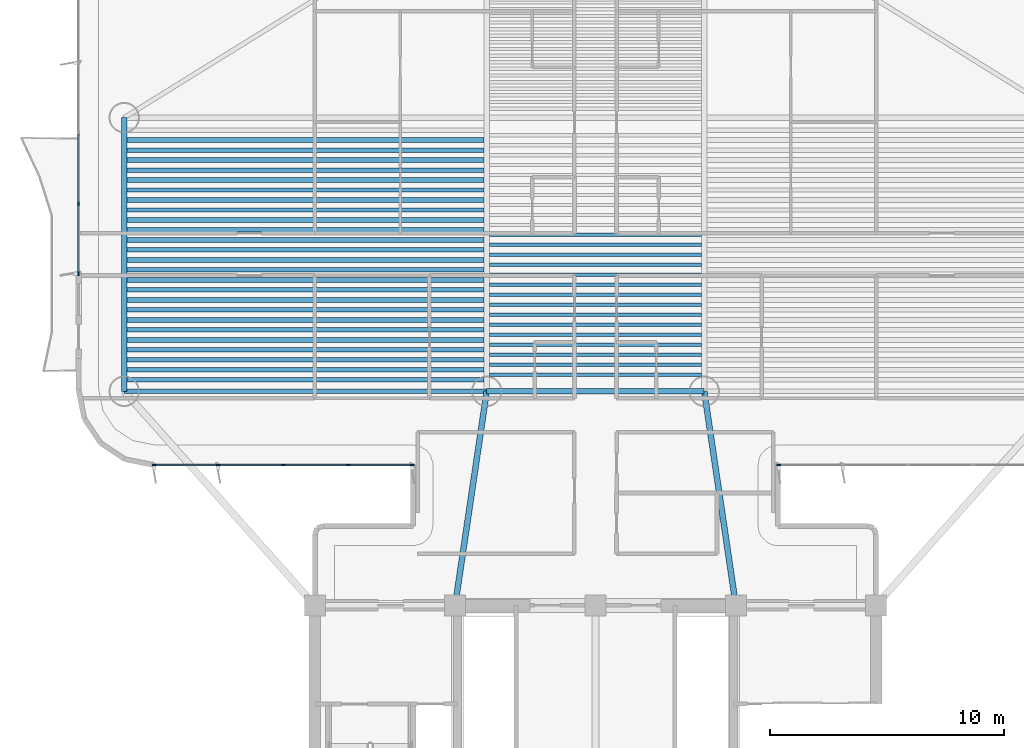
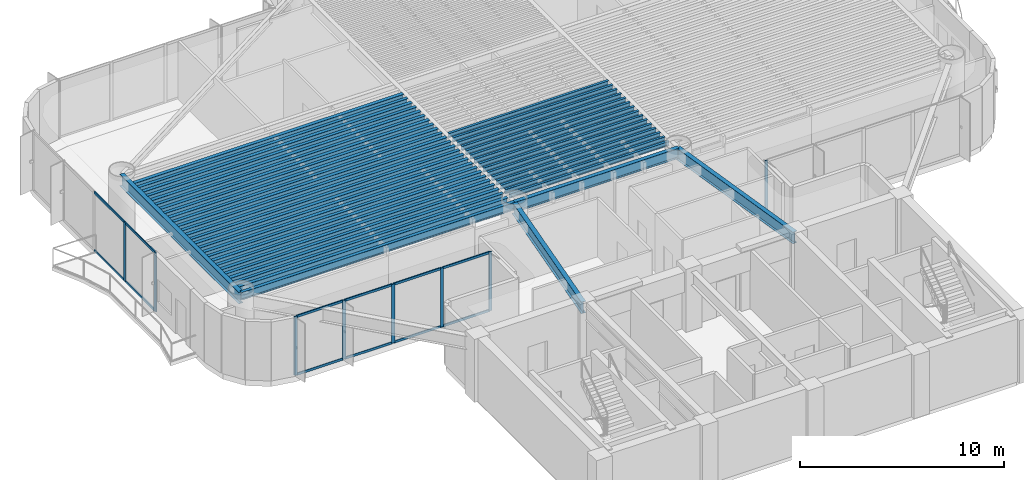
# One storey, part 2 of 17: 45 beams, 20 members, 3 elements without a shape of their own.
"""IFC4 building model written with IfcOpenShell, lengths in metres."""

from ifc_helpers import new_model, si_unit, direction, frame, origin, origin_2d, place, context, subcontext, project, spatial, rectangle, i_section, extrude, source, transform, mapped, material, layer, layer_set, material_profile, profile_set, type_object, element, aggregate, save


model = new_model("IFC4")

# Units and contexts
model_context = context("Model", 3, precision=1e-05, world=origin(), true_north=direction((0.0, 1.0)))
body_context = subcontext(model_context, "Body", "Model", "MODEL_VIEW")
ifc_project = project(units=[si_unit("LENGTHUNIT", "METRE"), si_unit("AREAUNIT", "SQUARE_METRE"), si_unit("VOLUMEUNIT", "CUBIC_METRE"), si_unit("PLANEANGLEUNIT", "RADIAN"), si_unit("MASSUNIT", "GRAM", prefix="KILO")], contexts=[model_context])

# Site, building, storey
site_placement = place(None, origin())
site = spatial("IfcSite", under=ifc_project, at=site_placement, CompositionType="ELEMENT")
building_placement = place(site_placement, origin())
building = spatial("IfcBuilding", under=site, at=building_placement, Name="Brelvock Crest Care Tower", CompositionType="ELEMENT")
storey_placement = place(building_placement, frame((0.0, 0.0, 89.820068359375)))
storey = spatial("IfcBuildingStorey", under=building, at=storey_placement, Name="L22", CompositionType="ELEMENT", Elevation=89.820068359375)

# Beams
ifc_material_1 = material(Name="Steel Grade 350", Category="steel")
ifc_material_profile_1 = material_profile(ifc_material_1, i_section(OverallWidth=0.22900390625, OverallDepth=0.612060546875, WebThickness=0.011962890625, FlangeThickness=0.01953125, FilletRadius=0.013916015625, at=origin_2d()), Name="610UB125")
ifc_profile_set_1 = profile_set([ifc_material_profile_1], Name="Steel Grade 350")
beam_type_1 = type_object("IfcBeamType", Name="BM-G1", PredefinedType="BEAM", material=ifc_profile_set_1)
shared_shape_1 = source(origin(), body_context, "Body", "SweptSolid", [
    extrude(i_section(OverallWidth=0.22900390625, OverallDepth=0.612060546875, WebThickness=0.011962890625, FlangeThickness=0.01953125, FilletRadius=0.013916015625, at=origin_2d()), origin(), (0.0, 0.0, 1.0), 9.2998046875),
])
beam_1_placement = place(storey_placement, frame((31.35009765625, 27.14990234375, 3.223876953125), z_axis=(1.0, 0.0, 0.0), x_axis=(0.0, 1.0, 0.0)))
element("IfcBeam", 1, at=beam_1_placement, inside=storey, type_object=beam_type_1, Name="BM-TWR-L22-05", PredefinedType="BEAM", context=body_context, shape_type="MappedRepresentation", body=[
    mapped(shared_shape_1, transform((0.0, 0.0, 0.0), x_axis=(1.0, 0.0, 0.0), y_axis=(0.0, 1.0, 0.0), z_axis=(0.0, 0.0, 1.0), scale=1.0)),
])
ifc_material_profile_2 = material_profile(ifc_material_1, i_section(OverallWidth=0.14599609375, OverallDepth=0.256103515625, WebThickness=0.00634765625, FlangeThickness=0.010986328125, FilletRadius=0.0087890625, at=origin_2d()), Name="250UB37.3")
ifc_profile_set_2 = profile_set([ifc_material_profile_2], Name="Steel Grade 350")
beam_type_2 = type_object("IfcBeamType", Name="BM-J3", PredefinedType="JOIST", material=ifc_profile_set_2)
shared_shape_2 = source(origin(), body_context, "Body", "SweptSolid", [
    extrude(i_section(OverallWidth=0.14599609375, OverallDepth=0.256103515625, WebThickness=0.00634765625, FlangeThickness=0.010986328125, FilletRadius=0.0087890625, at=origin_2d()), origin(), (0.0, 0.0, 1.0), 9.06982421875),
])
for number, where, z_axis, x_axis, name in (
    (2, (31.465087890625, 27.85498046875, 3.40185546875), (1.0, 0.0, 0.0), (0.0, 1.0, 0.0), "BM-JH-L22-1"),
    (3, (31.465087890625, 28.281982421875, 3.40185546875), (1.0, 0.0, 0.0), (0.0, 1.0, 0.0), "BM-JH-L22-2"),
    (4, (31.465087890625, 28.708984375, 3.40185546875), (1.0, 0.0, 0.0), (0.0, 1.0, 0.0), "BM-JH-L22-3"),
    (5, (31.465087890625, 29.135986328125, 3.40185546875), (1.0, 0.0, 0.0), (0.0, 1.0, 0.0), "BM-JH-L22-4"),
    (6, (31.465087890625, 29.56298828125, 3.40185546875), (1.0, 0.0, 0.0), (0.0, 1.0, 0.0), "BM-JH-L22-5"),
    (7, (31.465087890625, 29.990234375, 3.40185546875), (1.0, 0.0, 0.0), (0.0, 1.0, 0.0), "BM-JH-L22-6"),
    (8, (31.465087890625, 30.417236328125, 3.40185546875), (1.0, 0.0, 0.0), (0.0, 1.0, 0.0), "BM-JH-L22-7"),
    (9, (31.465087890625, 30.84423828125, 3.40185546875), (1.0, 0.0, 0.0), (0.0, 1.0, 0.0), "BM-JH-L22-8"),
    (10, (31.465087890625, 31.271240234375, 3.40185546875), (1.0, 0.0, 0.0), (0.0, 1.0, 0.0), "BM-JH-L22-9"),
    (11, (31.465087890625, 31.698486328125, 3.40185546875), (1.0, 0.0, 0.0), (0.0, 1.0, 0.0), "BM-JH-L22-10"),
    (12, (31.465087890625, 32.12548828125, 3.40185546875), (1.0, 0.0, 0.0), (0.0, 1.0, 0.0), "BM-JH-L22-11"),
    (13, (31.465087890625, 32.552490234375, 3.40185546875), (1.0, 0.0, 0.0), (0.0, 1.0, 0.0), "BM-JH-L22-12"),
    (14, (31.465087890625, 32.9794921875, 3.40185546875), (1.0, 0.0, 0.0), (0.0, 1.0, 0.0), "BM-JH-L22-13"),
    (15, (31.465087890625, 33.406494140625, 3.40185546875), (1.0, 0.0, 0.0), (0.0, 1.0, 0.0), "BM-JH-L22-14"),
    (16, (31.465087890625, 33.83349609375, 3.40185546875), (1.0, 0.0, 0.0), (0.0, 1.0, 0.0), "BM-JH-L22-15"),
):
    element("IfcBeam", number, at=place(storey_placement, frame(where, z_axis=z_axis, x_axis=x_axis)), inside=storey, type_object=beam_type_2, Name=name, PredefinedType="JOIST", context=body_context, shape_type="MappedRepresentation", body=[
        mapped(shared_shape_2, transform((0.0, 0.0, 0.0), x_axis=(1.0, 0.0, 0.0), y_axis=(0.0, 1.0, 0.0), z_axis=(0.0, 0.0, 1.0), scale=1.0)),
    ])
ifc_material_profile_3 = material_profile(ifc_material_1, i_section(OverallWidth=0.208984375, OverallDepth=0.532958984375, WebThickness=0.01025390625, FlangeThickness=0.015625, FilletRadius=0.013916015625, at=origin_2d()), Name="530UB92.4")
ifc_profile_set_3 = profile_set([ifc_material_profile_3], Name="Steel Grade 350")
beam_type_3 = type_object("IfcBeamType", Name="BM-G2", PredefinedType="BEAM", material=ifc_profile_set_3)
shared_shape_3 = source(origin(), body_context, "Body", "SweptSolid", [
    extrude(i_section(OverallWidth=0.208984375, OverallDepth=0.532958984375, WebThickness=0.01025390625, FlangeThickness=0.015625, FilletRadius=0.013916015625, at=origin_2d()), origin(), (0.0, 0.0, 1.0), 15.27001953125),
])
for number, where, z_axis, x_axis, name in (
    (17, (15.965087890625, 27.641357421875, 3.263427734375), (1.0, 0.0, 0.0), (0.0, 1.0, 0.0), "BM-JW-L22-1"),
    (18, (15.965087890625, 28.49560546875, 3.263427734375), (1.0, 0.0, 0.0), (0.0, 1.0, 0.0), "BM-JW-L22-3"),
    (19, (15.965087890625, 29.349609375, 3.263427734375), (1.0, 0.0, 0.0), (0.0, 1.0, 0.0), "BM-JW-L22-5"),
    (20, (15.965087890625, 30.20361328125, 3.263427734375), (1.0, 0.0, 0.0), (0.0, 1.0, 0.0), "BM-JW-L22-7"),
    (21, (15.965087890625, 31.057861328125, 3.263427734375), (1.0, 0.0, 0.0), (0.0, 1.0, 0.0), "BM-JW-L22-9"),
    (22, (15.965087890625, 31.911865234375, 3.263427734375), (1.0, 0.0, 0.0), (0.0, 1.0, 0.0), "BM-JW-L22-11"),
    (23, (15.965087890625, 32.76611328125, 3.263427734375), (1.0, 0.0, 0.0), (0.0, 1.0, 0.0), "BM-JW-L22-13"),
    (24, (15.965087890625, 33.6201171875, 3.263427734375), (1.0, 0.0, 0.0), (0.0, 1.0, 0.0), "BM-JW-L22-15"),
    (25, (15.965087890625, 34.47412109375, 3.263427734375), (1.0, 0.0, 0.0), (0.0, 1.0, 0.0), "BM-JW-L22-17"),
    (26, (15.965087890625, 35.328369140625, 3.263427734375), (1.0, 0.0, 0.0), (0.0, 1.0, 0.0), "BM-JW-L22-19"),
    (27, (15.965087890625, 36.182373046875, 3.263427734375), (1.0, 0.0, 0.0), (0.0, 1.0, 0.0), "BM-JW-L22-21"),
    (28, (15.965087890625, 37.03662109375, 3.263427734375), (1.0, 0.0, 0.0), (0.0, 1.0, 0.0), "BM-JW-L22-23"),
    (29, (15.965087890625, 37.890625, 3.263427734375), (1.0, 0.0, 0.0), (0.0, 1.0, 0.0), "BM-JW-L22-25"),
):
    element("IfcBeam", number, at=place(storey_placement, frame(where, z_axis=z_axis, x_axis=x_axis)), inside=storey, type_object=beam_type_3, Name=name, PredefinedType="BEAM", context=body_context, shape_type="MappedRepresentation", body=[
        mapped(shared_shape_3, transform((0.0, 0.0, 0.0), x_axis=(1.0, 0.0, 0.0), y_axis=(0.0, 1.0, 0.0), z_axis=(0.0, 0.0, 1.0), scale=1.0)),
    ])
ifc_material_profile_4 = material_profile(ifc_material_1, i_section(OverallWidth=0.19091796875, OverallDepth=0.4599609375, WebThickness=0.010009765625, FlangeThickness=0.01611328125, FilletRadius=0.011474609375, at=origin_2d()), Name="460UB82.1")
ifc_profile_set_4 = profile_set([ifc_material_profile_4], Name="Steel Grade 350")
beam_type_4 = type_object("IfcBeamType", Name="BM-G3", PredefinedType="BEAM", material=ifc_profile_set_4)
shared_shape_4 = source(origin(), body_context, "Body", "SweptSolid", [
    extrude(i_section(OverallWidth=0.19091796875, OverallDepth=0.4599609375, WebThickness=0.010009765625, FlangeThickness=0.01611328125, FilletRadius=0.011474609375, at=origin_2d()), origin(), (0.0, 0.0, 1.0), 15.27001953125),
])
for number, where, z_axis, x_axis, name in (
    (30, (15.965087890625, 28.068359375, 3.300048828125), (1.0, 0.0, 0.0), (0.0, 1.0, 0.0), "BM-JW-L22-2"),
    (31, (15.965087890625, 28.922607421875, 3.300048828125), (1.0, 0.0, 0.0), (0.0, 1.0, 0.0), "BM-JW-L22-4"),
    (32, (15.965087890625, 29.776611328125, 3.300048828125), (1.0, 0.0, 0.0), (0.0, 1.0, 0.0), "BM-JW-L22-6"),
    (33, (15.965087890625, 30.630615234375, 3.300048828125), (1.0, 0.0, 0.0), (0.0, 1.0, 0.0), "BM-JW-L22-8"),
    (34, (15.965087890625, 31.48486328125, 3.300048828125), (1.0, 0.0, 0.0), (0.0, 1.0, 0.0), "BM-JW-L22-10"),
    (35, (15.965087890625, 32.3388671875, 3.300048828125), (1.0, 0.0, 0.0), (0.0, 1.0, 0.0), "BM-JW-L22-12"),
    (36, (15.965087890625, 33.193115234375, 3.300048828125), (1.0, 0.0, 0.0), (0.0, 1.0, 0.0), "BM-JW-L22-14"),
    (37, (15.965087890625, 34.047119140625, 3.300048828125), (1.0, 0.0, 0.0), (0.0, 1.0, 0.0), "BM-JW-L22-16"),
    (38, (15.965087890625, 34.901123046875, 3.300048828125), (1.0, 0.0, 0.0), (0.0, 1.0, 0.0), "BM-JW-L22-18"),
    (39, (15.965087890625, 35.75537109375, 3.300048828125), (1.0, 0.0, 0.0), (0.0, 1.0, 0.0), "BM-JW-L22-20"),
    (40, (15.965087890625, 36.609619140625, 3.300048828125), (1.0, 0.0, 0.0), (0.0, 1.0, 0.0), "BM-JW-L22-22"),
    (41, (15.965087890625, 37.46337890625, 3.300048828125), (1.0, 0.0, 0.0), (0.0, 1.0, 0.0), "BM-JW-L22-24"),
):
    element("IfcBeam", number, at=place(storey_placement, frame(where, z_axis=z_axis, x_axis=x_axis)), inside=storey, type_object=beam_type_4, Name=name, PredefinedType="BEAM", context=body_context, shape_type="MappedRepresentation", body=[
        mapped(shared_shape_4, transform((0.0, 0.0, 0.0), x_axis=(1.0, 0.0, 0.0), y_axis=(0.0, 1.0, 0.0), z_axis=(0.0, 0.0, 1.0), scale=1.0)),
    ])
ifc_material_profile_5 = material_profile(ifc_material_1, i_section(OverallWidth=0.25, OverallDepth=0.699951171875, WebThickness=0.011962890625, FlangeThickness=0.02001953125, at=origin_2d()), Name="700WB150")
ifc_profile_set_5 = profile_set([ifc_material_profile_5], Name="Steel Grade 350")
beam_type_5 = type_object("IfcBeamType", Name="BM-G4", PredefinedType="BEAM", material=ifc_profile_set_5)
shared_shape_5 = source(origin(), body_context, "Body", "SweptSolid", [
    extrude(i_section(OverallWidth=0.25, OverallDepth=0.699951171875, WebThickness=0.011962890625, FlangeThickness=0.02001953125, at=origin_2d()), origin(), (0.0, 0.0, 1.0), 11.7001953125),
])
beam_2_placement = place(storey_placement, frame((15.85009765625, 27.14990234375, 3.179931640625), z_axis=(0.0, 1.0, 0.0), x_axis=(-1.0, 0.0, 0.0)))
element("IfcBeam", 42, at=beam_2_placement, inside=storey, type_object=beam_type_5, Name="BM-TWR-L22-01", PredefinedType="BEAM", context=body_context, shape_type="MappedRepresentation", body=[
    mapped(shared_shape_5, transform((0.0, 0.0, 0.0), x_axis=(1.0, 0.0, 0.0), y_axis=(0.0, 1.0, 0.0), z_axis=(0.0, 0.0, 1.0), scale=1.0)),
])
ifc_material_profile_6 = material_profile(ifc_material_1, i_section(OverallWidth=0.19091796875, OverallDepth=0.4599609375, WebThickness=0.010009765625, FlangeThickness=0.01611328125, FilletRadius=0.011474609375, at=origin_2d()), Name="460UB82.1")
ifc_profile_set_6 = profile_set([ifc_material_profile_6], Name="Steel Grade 350")
beam_type_6 = type_object("IfcBeamType", Name="BM-SP2", PredefinedType="SPANDREL", material=ifc_profile_set_6)
shared_shape_6 = source(origin(), body_context, "Body", "SweptSolid", [
    extrude(i_section(OverallWidth=0.19091796875, OverallDepth=0.4599609375, WebThickness=0.010009765625, FlangeThickness=0.01611328125, FilletRadius=0.011474609375, at=origin_2d()), origin(), (0.0, 0.0, 1.0), 15.5),
])
beam_3_placement = place(storey_placement, frame((15.85009765625, 27.14990234375, 3.300048828125), z_axis=(1.0, 0.0, 0.0), x_axis=(0.0, 1.0, 0.0)))
element("IfcBeam", 43, at=beam_3_placement, inside=storey, type_object=beam_type_6, Name="BM-TWR-L22-03", PredefinedType="SPANDREL", context=body_context, shape_type="MappedRepresentation", body=[
    mapped(shared_shape_6, transform((0.0, 0.0, 0.0), x_axis=(1.0, 0.0, 0.0), y_axis=(0.0, 1.0, 0.0), z_axis=(0.0, 0.0, 1.0), scale=1.0)),
])
shared_shape_7 = source(origin(), body_context, "Body", "SweptSolid", [
    extrude(i_section(OverallWidth=0.25, OverallDepth=0.699951171875, WebThickness=0.011962890625, FlangeThickness=0.02001953125, at=origin_2d()), origin(), (0.0, 0.0, 1.0), 9.2490234375),
])
for number, where, z_axis, x_axis, name in (
    (44, (30.0, 18.0, 3.179931640625), (0.145972731602, 0.989288613918, 0.0), (-0.989288613918, 0.145972731602, 0.0), "BM-THRW-L22"),
    (45, (42.0, 18.0, 3.179931640625), (-0.145972731602, 0.989288613918, 0.0), (-0.989288613918, -0.145972731602, 0.0), "BM-THRE-L22"),
):
    element("IfcBeam", number, at=place(storey_placement, frame(where, z_axis=z_axis, x_axis=x_axis)), inside=storey, type_object=beam_type_5, Name=name, PredefinedType="BEAM", context=body_context, shape_type="MappedRepresentation", body=[
        mapped(shared_shape_7, transform((0.0, 0.0, 0.0), x_axis=(1.0, 0.0, 0.0), y_axis=(0.0, 1.0, 0.0), z_axis=(0.0, 0.0, 1.0), scale=1.0)),
    ])

# Curtain wall, members
ifc_material_2 = material(Name="Dark Glass Double Glazed Low-E", Category="glass")
ifc_layer = layer(ifc_material_2, 0.2099609375, Name="CWS-3")
ifc_layer_set = layer_set([ifc_layer], Name="Dark Glass Double Glazed Low-E")
curtain_wall_type = type_object("IfcCurtainWallType", Name="CWS-3", PredefinedType="NOTDEFINED", material=ifc_layer_set)
curtain_wall_1_placement = place(storey_placement, origin())
curtain_wall_1 = element("IfcCurtainWall", 46, at=curtain_wall_1_placement, inside=storey, type_object=curtain_wall_type, Name="L22 Curtain Wall E12", PredefinedType="NOTDEFINED")
ifc_material_3 = material(Name="Aluminium 6063-T6", Category="aluminium")
ifc_material_profile_7 = material_profile(ifc_material_3, rectangle(XDim=0.06005859375, YDim=0.179931640625, at=origin_2d()), Name="ALU60x180")
ifc_profile_set_7 = profile_set([ifc_material_profile_7], Name="Aluminium 6063-T6")
member_type_1 = type_object("IfcMemberType", Name="CWM-2", PredefinedType="MULLION", material=ifc_profile_set_7)
shared_shape_8 = source(origin(), body_context, "Body", "SweptSolid", [
    extrude(rectangle(XDim=0.06005859375, YDim=0.179931640625, at=origin_2d()), origin(), (0.0, 0.0, 1.0), 3.530029296875),
])
member_1_placement = place(storey_placement, frame((28.169921875, 24.0, 0.0), z_axis=(0.0, 0.0, 1.0), x_axis=(0.0, -1.0, 0.0)))
member_1 = element("IfcMember", 47, at=member_1_placement, type_object=member_type_1, Name="CW-3 mullion 1", PredefinedType="MULLION", context=body_context, shape_type="MappedRepresentation", body=[
    mapped(shared_shape_8, transform((0.0, 0.0, 0.0), x_axis=(1.0, 0.0, 0.0), y_axis=(0.0, 1.0, 0.0), z_axis=(0.0, 0.0, 1.0), scale=1.0)),
])
member_2_placement = place(storey_placement, frame((25.425048828125, 24.0, 0.0), z_axis=(0.0, 0.0, 1.0), x_axis=(0.0, -1.0, 0.0)))
member_2 = element("IfcMember", 48, at=member_2_placement, type_object=member_type_1, Name="CW-3 mullion 2", PredefinedType="MULLION", context=body_context, shape_type="MappedRepresentation", body=[
    mapped(shared_shape_8, transform((0.0, 0.0, 0.0), x_axis=(1.0, 0.0, 0.0), y_axis=(0.0, 1.0, 0.0), z_axis=(0.0, 0.0, 1.0), scale=1.0)),
])
member_3_placement = place(storey_placement, frame((22.64990234375, 24.0, 0.0), z_axis=(0.0, 0.0, 1.0), x_axis=(0.0, -1.0, 0.0)))
member_3 = element("IfcMember", 49, at=member_3_placement, type_object=member_type_1, Name="CW-3 mullion 3", PredefinedType="MULLION", context=body_context, shape_type="MappedRepresentation", body=[
    mapped(shared_shape_8, transform((0.0, 0.0, 0.0), x_axis=(1.0, 0.0, 0.0), y_axis=(0.0, 1.0, 0.0), z_axis=(0.0, 0.0, 1.0), scale=1.0)),
])
member_4_placement = place(storey_placement, frame((19.875, 24.0, 0.0), z_axis=(0.0, 0.0, 1.0), x_axis=(0.0, -1.0, 0.0)))
member_4 = element("IfcMember", 50, at=member_4_placement, type_object=member_type_1, Name="CW-3 mullion 4", PredefinedType="MULLION", context=body_context, shape_type="MappedRepresentation", body=[
    mapped(shared_shape_8, transform((0.0, 0.0, 0.0), x_axis=(1.0, 0.0, 0.0), y_axis=(0.0, 1.0, 0.0), z_axis=(0.0, 0.0, 1.0), scale=1.0)),
])
member_5_placement = place(storey_placement, frame((17.1298828125, 24.0, 0.0), z_axis=(0.0, 0.0, 1.0), x_axis=(0.0, -1.0, 0.0)))
member_5 = element("IfcMember", 51, at=member_5_placement, type_object=member_type_1, Name="CW-3 mullion 5", PredefinedType="MULLION", context=body_context, shape_type="MappedRepresentation", body=[
    mapped(shared_shape_8, transform((0.0, 0.0, 0.0), x_axis=(1.0, 0.0, 0.0), y_axis=(0.0, 1.0, 0.0), z_axis=(0.0, 0.0, 1.0), scale=1.0)),
])

curtain_wall_2_placement = place(storey_placement, origin())
curtain_wall_2 = element("IfcCurtainWall", 52, at=curtain_wall_2_placement, inside=storey, type_object=curtain_wall_type, Name="L22 Curtain Wall E17B", PredefinedType="NOTDEFINED")
member_6_placement = place(storey_placement, frame((13.89990234375, 32.179931640625, 0.0), z_axis=(0.0, 0.0, 1.0), x_axis=(-1.0, 0.0, 0.0)))
member_6 = element("IfcMember", 53, at=member_6_placement, type_object=member_type_1, Name="CW-3 mullion 1", PredefinedType="MULLION", context=body_context, shape_type="MappedRepresentation", body=[
    mapped(shared_shape_8, transform((0.0, 0.0, 0.0), x_axis=(1.0, 0.0, 0.0), y_axis=(0.0, 1.0, 0.0), z_axis=(0.0, 0.0, 1.0), scale=1.0)),
])
member_7_placement = place(storey_placement, frame((13.89990234375, 35.16259765625, 0.0), z_axis=(0.0, 0.0, 1.0), x_axis=(-1.0, 0.0, 0.0)))
member_7 = element("IfcMember", 54, at=member_7_placement, type_object=member_type_1, Name="CW-3 mullion 2", PredefinedType="MULLION", context=body_context, shape_type="MappedRepresentation", body=[
    mapped(shared_shape_8, transform((0.0, 0.0, 0.0), x_axis=(1.0, 0.0, 0.0), y_axis=(0.0, 1.0, 0.0), z_axis=(0.0, 0.0, 1.0), scale=1.0)),
])

# Curtain wall, member
curtain_wall_3_placement = place(storey_placement, origin())
curtain_wall_3 = element("IfcCurtainWall", 55, at=curtain_wall_3_placement, inside=storey, type_object=curtain_wall_type, Name="L22 Curtain Wall E44", PredefinedType="NOTDEFINED")
member_8_placement = place(storey_placement, frame((43.830078125, 24.0, 0.0), z_axis=(0.0, 0.0, 1.0), x_axis=(0.0, -1.0, 0.0)))
member_8 = element("IfcMember", 56, at=member_8_placement, type_object=member_type_1, Name="CW-3 mullion 5", PredefinedType="MULLION", context=body_context, shape_type="MappedRepresentation", body=[
    mapped(shared_shape_8, transform((0.0, 0.0, 0.0), x_axis=(1.0, 0.0, 0.0), y_axis=(0.0, 1.0, 0.0), z_axis=(0.0, 0.0, 1.0), scale=1.0)),
])
aggregate(curtain_wall_3, [member_8])

# Member
ifc_material_profile_8 = material_profile(ifc_material_3, rectangle(XDim=0.06005859375, YDim=0.139892578125, at=origin_2d()), Name="ALU60x140")
ifc_profile_set_8 = profile_set([ifc_material_profile_8], Name="Aluminium 6063-T6")
member_type_2 = type_object("IfcMemberType", Name="CWT-2", PredefinedType="USERDEFINED", material=ifc_profile_set_8)
shared_shape_9 = source(origin(), body_context, "Body", "SweptSolid", [
    extrude(rectangle(XDim=0.06005859375, YDim=0.139892578125, at=origin_2d()), origin(), (0.0, 0.0, 1.0), 2.684814453125),
])
member_9_placement = place(storey_placement, frame((28.139892578125, 24.0, 0.030029296875), z_axis=(-1.0, 0.0, 0.0), x_axis=(0.0, -1.0, 0.0)))
member_9 = element("IfcMember", 57, at=member_9_placement, type_object=member_type_2, Name="CW-3 transom 1.1", ObjectType="TRANSOM", PredefinedType="USERDEFINED", context=body_context, shape_type="MappedRepresentation", body=[
    mapped(shared_shape_9, transform((0.0, 0.0, 0.0), x_axis=(1.0, 0.0, 0.0), y_axis=(0.0, 1.0, 0.0), z_axis=(0.0, 0.0, 1.0), scale=1.0)),
])

member_10_placement = place(storey_placement, frame((28.139892578125, 24.0, 3.5), z_axis=(-1.0, 0.0, 0.0), x_axis=(0.0, -1.0, 0.0)))
member_10 = element("IfcMember", 58, at=member_10_placement, type_object=member_type_2, Name="CW-3 transom 1.2", ObjectType="TRANSOM", PredefinedType="USERDEFINED", context=body_context, shape_type="MappedRepresentation", body=[
    mapped(shared_shape_9, transform((0.0, 0.0, 0.0), x_axis=(1.0, 0.0, 0.0), y_axis=(0.0, 1.0, 0.0), z_axis=(0.0, 0.0, 1.0), scale=1.0)),
])

shared_shape_10 = source(origin(), body_context, "Body", "SweptSolid", [
    extrude(rectangle(XDim=0.06005859375, YDim=0.139892578125, at=origin_2d()), origin(), (0.0, 0.0, 1.0), 2.715087890625),
])
member_11_placement = place(storey_placement, frame((25.39501953125, 24.0, 0.030029296875), z_axis=(-1.0, 0.0, 0.0), x_axis=(0.0, -1.0, 0.0)))
member_11 = element("IfcMember", 59, at=member_11_placement, type_object=member_type_2, Name="CW-3 transom 2.1", ObjectType="TRANSOM", PredefinedType="USERDEFINED", context=body_context, shape_type="MappedRepresentation", body=[
    mapped(shared_shape_10, transform((0.0, 0.0, 0.0), x_axis=(1.0, 0.0, 0.0), y_axis=(0.0, 1.0, 0.0), z_axis=(0.0, 0.0, 1.0), scale=1.0)),
])

member_12_placement = place(storey_placement, frame((25.39501953125, 24.0, 3.5), z_axis=(-1.0, 0.0, 0.0), x_axis=(0.0, -1.0, 0.0)))
member_12 = element("IfcMember", 60, at=member_12_placement, type_object=member_type_2, Name="CW-3 transom 2.2", ObjectType="TRANSOM", PredefinedType="USERDEFINED", context=body_context, shape_type="MappedRepresentation", body=[
    mapped(shared_shape_10, transform((0.0, 0.0, 0.0), x_axis=(1.0, 0.0, 0.0), y_axis=(0.0, 1.0, 0.0), z_axis=(0.0, 0.0, 1.0), scale=1.0)),
])

member_13_placement = place(storey_placement, frame((22.6201171875, 24.0, 0.030029296875), z_axis=(-1.0, 0.0, 0.0), x_axis=(0.0, -1.0, 0.0)))
member_13 = element("IfcMember", 61, at=member_13_placement, type_object=member_type_2, Name="CW-3 transom 3.1", ObjectType="TRANSOM", PredefinedType="USERDEFINED", context=body_context, shape_type="MappedRepresentation", body=[
    mapped(shared_shape_10, transform((0.0, 0.0, 0.0), x_axis=(1.0, 0.0, 0.0), y_axis=(0.0, 1.0, 0.0), z_axis=(0.0, 0.0, 1.0), scale=1.0)),
])

member_14_placement = place(storey_placement, frame((22.6201171875, 24.0, 3.5), z_axis=(-1.0, 0.0, 0.0), x_axis=(0.0, -1.0, 0.0)))
member_14 = element("IfcMember", 62, at=member_14_placement, type_object=member_type_2, Name="CW-3 transom 3.2", ObjectType="TRANSOM", PredefinedType="USERDEFINED", context=body_context, shape_type="MappedRepresentation", body=[
    mapped(shared_shape_10, transform((0.0, 0.0, 0.0), x_axis=(1.0, 0.0, 0.0), y_axis=(0.0, 1.0, 0.0), z_axis=(0.0, 0.0, 1.0), scale=1.0)),
])

shared_shape_11 = source(origin(), body_context, "Body", "SweptSolid", [
    extrude(rectangle(XDim=0.06005859375, YDim=0.139892578125, at=origin_2d()), origin(), (0.0, 0.0, 1.0), 2.68505859375),
])
member_15_placement = place(storey_placement, frame((19.844970703125, 24.0, 0.030029296875), z_axis=(-1.0, 0.0, 0.0), x_axis=(0.0, -1.0, 0.0)))
member_15 = element("IfcMember", 63, at=member_15_placement, type_object=member_type_2, Name="CW-3 transom 4.1", ObjectType="TRANSOM", PredefinedType="USERDEFINED", context=body_context, shape_type="MappedRepresentation", body=[
    mapped(shared_shape_11, transform((0.0, 0.0, 0.0), x_axis=(1.0, 0.0, 0.0), y_axis=(0.0, 1.0, 0.0), z_axis=(0.0, 0.0, 1.0), scale=1.0)),
])

member_16_placement = place(storey_placement, frame((19.844970703125, 24.0, 3.5), z_axis=(-1.0, 0.0, 0.0), x_axis=(0.0, -1.0, 0.0)))
member_16 = element("IfcMember", 64, at=member_16_placement, type_object=member_type_2, Name="CW-3 transom 4.2", ObjectType="TRANSOM", PredefinedType="USERDEFINED", context=body_context, shape_type="MappedRepresentation", body=[
    mapped(shared_shape_11, transform((0.0, 0.0, 0.0), x_axis=(1.0, 0.0, 0.0), y_axis=(0.0, 1.0, 0.0), z_axis=(0.0, 0.0, 1.0), scale=1.0)),
])

aggregate(curtain_wall_1, [member_1, member_2, member_3, member_4, member_5, member_9, member_10, member_11, member_12, member_13, member_14, member_15, member_16])

shared_shape_12 = source(origin(), body_context, "Body", "SweptSolid", [
    extrude(rectangle(XDim=0.06005859375, YDim=0.139892578125, at=origin_2d()), origin(), (0.0, 0.0, 1.0), 2.922607421875),
])
member_17_placement = place(storey_placement, frame((13.89990234375, 32.2099609375, 0.030029296875), z_axis=(0.0, 1.0, 0.0), x_axis=(-1.0, 0.0, 0.0)))
member_17 = element("IfcMember", 65, at=member_17_placement, type_object=member_type_2, Name="CW-3 transom 1.1", ObjectType="TRANSOM", PredefinedType="USERDEFINED", context=body_context, shape_type="MappedRepresentation", body=[
    mapped(shared_shape_12, transform((0.0, 0.0, 0.0), x_axis=(1.0, 0.0, 0.0), y_axis=(0.0, 1.0, 0.0), z_axis=(0.0, 0.0, 1.0), scale=1.0)),
])

member_18_placement = place(storey_placement, frame((13.89990234375, 32.2099609375, 3.5), z_axis=(0.0, 1.0, 0.0), x_axis=(-1.0, 0.0, 0.0)))
member_18 = element("IfcMember", 66, at=member_18_placement, type_object=member_type_2, Name="CW-3 transom 1.2", ObjectType="TRANSOM", PredefinedType="USERDEFINED", context=body_context, shape_type="MappedRepresentation", body=[
    mapped(shared_shape_12, transform((0.0, 0.0, 0.0), x_axis=(1.0, 0.0, 0.0), y_axis=(0.0, 1.0, 0.0), z_axis=(0.0, 0.0, 1.0), scale=1.0)),
])

shared_shape_13 = source(origin(), body_context, "Body", "SweptSolid", [
    extrude(rectangle(XDim=0.06005859375, YDim=0.139892578125, at=origin_2d()), origin(), (0.0, 0.0, 1.0), 2.95263671875),
])
member_19_placement = place(storey_placement, frame((13.89990234375, 35.1923828125, 0.030029296875), z_axis=(0.0, 1.0, 0.0), x_axis=(-1.0, 0.0, 0.0)))
member_19 = element("IfcMember", 67, at=member_19_placement, type_object=member_type_2, Name="CW-3 transom 2.1", ObjectType="TRANSOM", PredefinedType="USERDEFINED", context=body_context, shape_type="MappedRepresentation", body=[
    mapped(shared_shape_13, transform((0.0, 0.0, 0.0), x_axis=(1.0, 0.0, 0.0), y_axis=(0.0, 1.0, 0.0), z_axis=(0.0, 0.0, 1.0), scale=1.0)),
])

member_20_placement = place(storey_placement, frame((13.89990234375, 35.1923828125, 3.5), z_axis=(0.0, 1.0, 0.0), x_axis=(-1.0, 0.0, 0.0)))
member_20 = element("IfcMember", 68, at=member_20_placement, type_object=member_type_2, Name="CW-3 transom 2.2", ObjectType="TRANSOM", PredefinedType="USERDEFINED", context=body_context, shape_type="MappedRepresentation", body=[
    mapped(shared_shape_13, transform((0.0, 0.0, 0.0), x_axis=(1.0, 0.0, 0.0), y_axis=(0.0, 1.0, 0.0), z_axis=(0.0, 0.0, 1.0), scale=1.0)),
])

aggregate(curtain_wall_2, [member_6, member_7, member_17, member_18, member_19, member_20])

save(model, "model.ifc")
